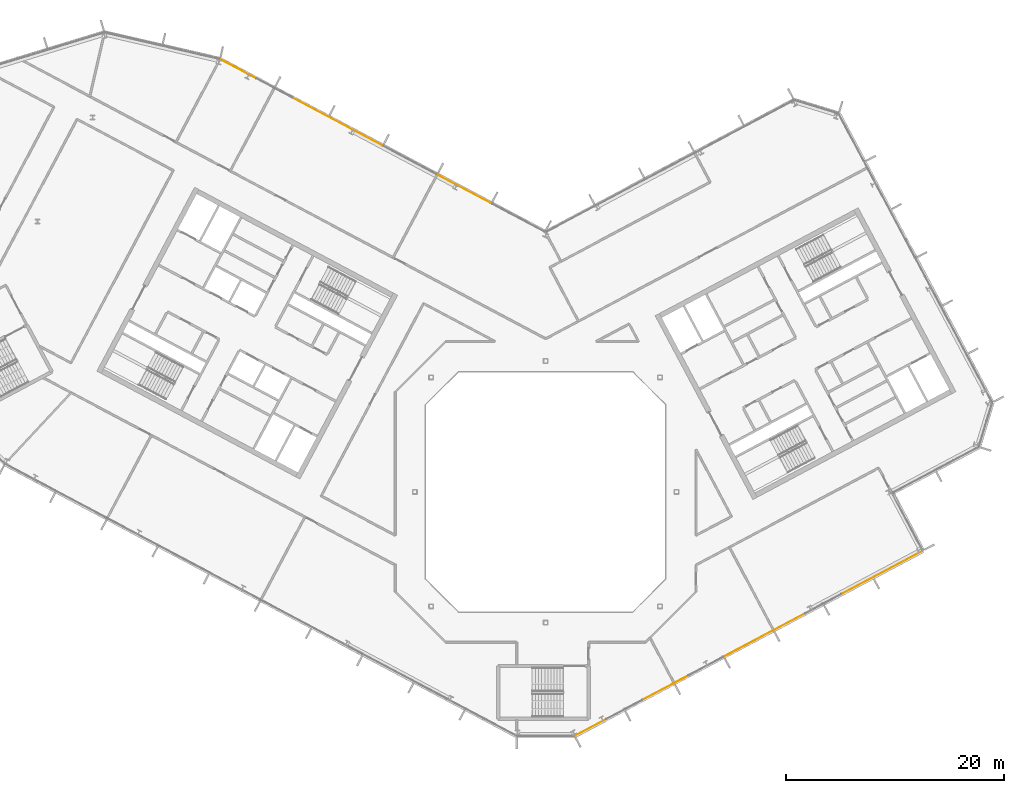
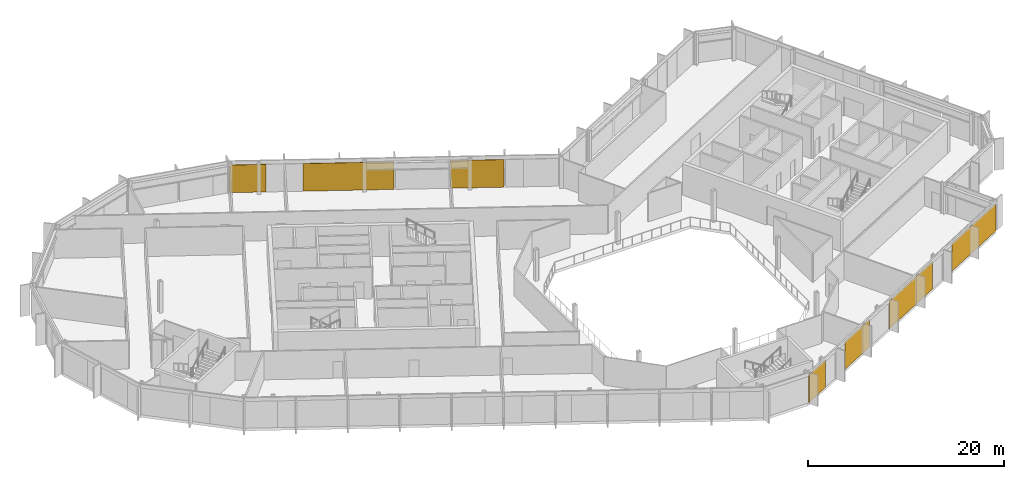
# One storey, part 23 of 25: 7 coverings, 2 elements without a shape of their own.
"""IFC4 building model written with IfcOpenShell, lengths in metres."""

from ifc_helpers import new_model, si_unit, direction, frame, origin, origin_2d, place, context, subcontext, project, spatial, rectangle, extrude, material, layer, layer_set, type_object, element, aggregate, save


model = new_model("IFC4")

# Units and contexts
model_context = context("Model", 3, precision=1e-05, world=origin(), true_north=direction((0.0, 1.0)))
body_context = subcontext(model_context, "Body", "Model", "MODEL_VIEW")
ifc_project = project(units=[si_unit("LENGTHUNIT", "METRE"), si_unit("AREAUNIT", "SQUARE_METRE"), si_unit("VOLUMEUNIT", "CUBIC_METRE"), si_unit("PLANEANGLEUNIT", "RADIAN"), si_unit("MASSUNIT", "GRAM", prefix="KILO")], contexts=[model_context])

# Site, building, storey
site_placement = place(None, origin())
site = spatial("IfcSite", under=ifc_project, at=site_placement, CompositionType="ELEMENT")
building_placement = place(site_placement, origin())
building = spatial("IfcBuilding", under=site, at=building_placement, Name="Cormorant Relay Tower", CompositionType="ELEMENT")
storey_placement = place(building_placement, frame((0.0, 0.0, 297.0)))
storey = spatial("IfcBuildingStorey", under=building, at=storey_placement, Name="L67", CompositionType="ELEMENT", Elevation=297.0)

# Curtain wall, coverings
ifc_material_1 = material(Name="Aluminium 6063-T6 anodised bronze", Category="aluminium")
ifc_layer_1 = layer(ifc_material_1, 0.199951171875)
ifc_layer_set_1 = layer_set([ifc_layer_1], Name="CW1 unitised bronze curtain wall with vertical fins")
curtain_wall_type = type_object("IfcCurtainWallType", Name="CW1 unitised bronze curtain wall with vertical fins", PredefinedType="NOTDEFINED", material=ifc_layer_set_1)
curtain_wall_1_placement = place(storey_placement, origin())
curtain_wall_1 = element("IfcCurtainWall", 1, at=curtain_wall_1_placement, inside=storey, type_object=curtain_wall_type, Name="CW1 curtain wall 2", PredefinedType="NOTDEFINED")
ifc_material_2 = material(Name="Pale bronze anodised aluminium insulated panel", Category="aluminium")
ifc_layer_2 = layer(ifc_material_2, 0.0400390625)
ifc_layer_set_2 = layer_set([ifc_layer_2], Name="CW1 pale bronze insulated panel 40")
covering_type = type_object("IfcCoveringType", Name="CW1 pale bronze insulated panel 40", PredefinedType="CLADDING", material=ifc_layer_set_2)
covering_1_placement = place(storey_placement, frame((4.14453125, -21.60302734375, 0.0), z_axis=(0.0, 0.0, 1.0), x_axis=(0.882947592859, 0.469471562786, 0.0)))
covering_1 = element("IfcCovering", 2, at=covering_1_placement, type_object=covering_type, Name="CW1 panel S00", PredefinedType="CLADDING", context=body_context, shape_type="SweptSolid", body=[
    extrude(rectangle(XDim=3.216552734375, YDim=0.0400390625, at=origin_2d()), origin(), (0.0, 0.0, 1.0), 3.449951171875),
])
covering_2_placement = place(storey_placement, frame((10.9873046875, -17.964599609375, 0.0), z_axis=(0.0, 0.0, 1.0), x_axis=(0.882947592859, 0.469471562786, 0.0)))
covering_2 = element("IfcCovering", 3, at=covering_2_placement, type_object=covering_type, Name="CW1 panel S03", PredefinedType="CLADDING", context=body_context, shape_type="SweptSolid", body=[
    extrude(rectangle(XDim=4.783203125, YDim=0.0400390625, at=origin_2d()), origin(), (0.0, 0.0, 1.0), 3.449951171875),
])
covering_3_placement = place(storey_placement, frame((20.11083984375, -13.113525390625, 0.0), z_axis=(0.0, 0.0, 1.0), x_axis=(0.882947592859, 0.469471562786, 0.0)))
covering_3 = element("IfcCovering", 4, at=covering_3_placement, type_object=covering_type, Name="CW1 panel S05", PredefinedType="CLADDING", context=body_context, shape_type="SweptSolid", body=[
    extrude(rectangle(XDim=8.383056640625, YDim=0.0400390625, at=origin_2d()), origin(), (0.0, 0.0, 1.0), 3.449951171875),
])
covering_4_placement = place(storey_placement, frame((30.856689453125, -7.39990234375, 0.0), z_axis=(0.0, 0.0, 1.0), x_axis=(0.882947592859, 0.469471562786, 0.0)))
covering_4 = element("IfcCovering", 5, at=covering_4_placement, type_object=covering_type, Name="CW1 panel S08", PredefinedType="CLADDING", context=body_context, shape_type="SweptSolid", body=[
    extrude(rectangle(XDim=8.4580078125, YDim=0.0400390625, at=origin_2d()), origin(), (0.0, 0.0, 1.0), 3.449951171875),
])
aggregate(curtain_wall_1, [covering_1, covering_2, covering_3, covering_4])

curtain_wall_2_placement = place(storey_placement, origin())
curtain_wall_2 = element("IfcCurtainWall", 6, at=curtain_wall_2_placement, inside=storey, type_object=curtain_wall_type, Name="CW1 curtain wall 9", PredefinedType="NOTDEFINED")
covering_5_placement = place(storey_placement, frame((-7.458984375, 27.772705078125, 0.0), z_axis=(0.0, 0.0, 1.0), x_axis=(-0.882947592859, 0.469471562786, 0.0)))
covering_5 = element("IfcCovering", 7, at=covering_5_placement, type_object=covering_type, Name="CW1 panel S02", PredefinedType="CLADDING", context=body_context, shape_type="SweptSolid", body=[
    extrude(rectangle(XDim=5.489013671875, YDim=0.0400390625, at=origin_2d()), origin(), (0.0, 0.0, 1.0), 3.449951171875),
])
covering_6_placement = place(storey_placement, frame((-19.11181640625, 33.968505859375, 0.0), z_axis=(0.0, 0.0, 1.0), x_axis=(-0.882947592859, 0.469471562786, 0.0)))
covering_6 = element("IfcCovering", 8, at=covering_6_placement, type_object=covering_type, Name="CW1 panel S04", PredefinedType="CLADDING", context=body_context, shape_type="SweptSolid", body=[
    extrude(rectangle(XDim=9.327880859375, YDim=0.0400390625, at=origin_2d()), origin(), (0.0, 0.0, 1.0), 3.449951171875),
])
covering_7_placement = place(storey_placement, frame((-28.20263671875, 38.80224609375, 0.0), z_axis=(0.0, 0.0, 1.0), x_axis=(-0.882947592859, 0.469471562786, 0.0)))
covering_7 = element("IfcCovering", 9, at=covering_7_placement, type_object=covering_type, Name="CW1 panel S07", PredefinedType="CLADDING", context=body_context, shape_type="SweptSolid", body=[
    extrude(rectangle(XDim=3.763916015625, YDim=0.0400390625, at=origin_2d()), origin(), (0.0, 0.0, 1.0), 3.449951171875),
])
aggregate(curtain_wall_2, [covering_5, covering_6, covering_7])

save(model, "model.ifc")
